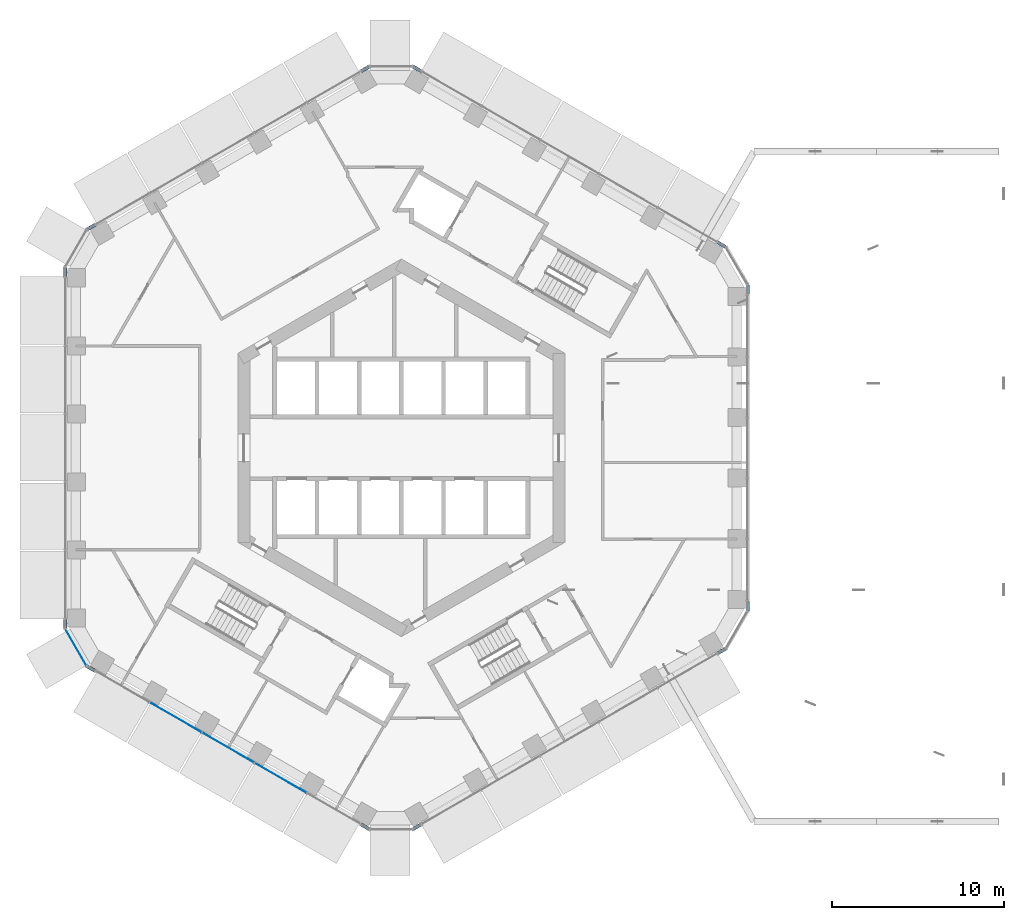
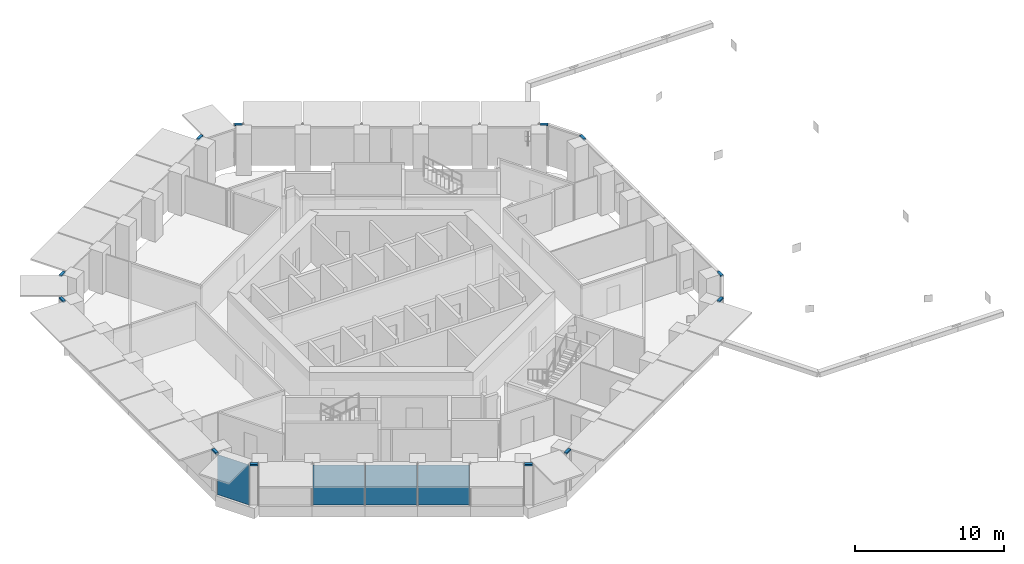
# One storey, part 8 of 21: 12 members, 4 plates, 7 elements without a shape of their own.
"""IFC4 building model written with IfcOpenShell, lengths in metres."""

from ifc_helpers import new_model, si_unit, direction, frame, origin, origin_2d, place, context, subcontext, project, spatial, rectangle, extrude, material, layer, layer_set, material_profile, profile_set, type_object, element, aggregate, save


model = new_model("IFC4")

# Units and contexts
model_context = context("Model", 3, precision=1e-05, world=origin(), true_north=direction((0.0, 1.0)))
body_context = subcontext(model_context, "Body", "Model", "MODEL_VIEW")
ifc_project = project(units=[si_unit("LENGTHUNIT", "METRE"), si_unit("AREAUNIT", "SQUARE_METRE"), si_unit("VOLUMEUNIT", "CUBIC_METRE"), si_unit("PLANEANGLEUNIT", "RADIAN"), si_unit("MASSUNIT", "GRAM", prefix="KILO")], contexts=[model_context])

# Site, building, storey
site_placement = place(None, origin())
site = spatial("IfcSite", under=ifc_project, at=site_placement, CompositionType="ELEMENT")
building_placement = place(site_placement, origin())
building = spatial("IfcBuilding", under=site, at=building_placement, Name="Ayvan Gate Tower", CompositionType="ELEMENT")
storey_placement = place(building_placement, frame((0.0, 0.0, 117.10009765625)))
storey = spatial("IfcBuildingStorey", under=building, at=storey_placement, Name="L31", CompositionType="ELEMENT", Elevation=117.10009765625)

# Curtain wall, members
ifc_material_1 = material(Name="Bronze anodised aluminium", Category="aluminium")
ifc_layer_1 = layer(ifc_material_1, 0.199951171875)
ifc_layer_set_1 = layer_set([ifc_layer_1], Name="Bronze anodised aluminium")
curtain_wall_type_1 = type_object("IfcCurtainWallType", Name="Stick curtain wall CW-6", PredefinedType="NOTDEFINED", material=ifc_layer_set_1)
curtain_wall_1_placement = place(storey_placement, origin())
curtain_wall_1 = element("IfcCurtainWall", 1, at=curtain_wall_1_placement, inside=storey, type_object=curtain_wall_type_1, Name="Stick curtain wall CW-6 L31", PredefinedType="NOTDEFINED")
ifc_material_profile = material_profile(ifc_material_1, rectangle(XDim=0.199951171875, YDim=0.1201171875, at=origin_2d()), Name="Stick curtain wall CW-6 transom 200 x 120")
ifc_profile_set = profile_set([ifc_material_profile], Name="Bronze anodised aluminium")
member_type = type_object("IfcMemberType", Name="Stick curtain wall CW-6 transom 200 x 120", PredefinedType="USERDEFINED", material=ifc_profile_set)
member_1_placement = place(storey_placement, frame((-17.77587890625, 12.958740234375, 3.33984375), z_axis=(-0.866104278045, -0.499863360881, 0.0), x_axis=(0.499863360881, -0.866104278045, 0.0)))
member_1 = element("IfcMember", 2, at=member_1_placement, type_object=member_type, Name="CW-6 transom 1", ObjectType="TRANSOM", PredefinedType="USERDEFINED", context=body_context, shape_type="SweptSolid", body=[
    extrude(rectangle(XDim=0.199951171875, YDim=0.1201171875, at=origin_2d()), origin(), (0.0, 0.0, 1.0), 0.550048828125),
])
member_2_placement = place(storey_placement, frame((-19.51708984375, 10.492919921875, 3.33984375), z_axis=(0.0, -1.0, 0.0), x_axis=(1.0, 0.0, 0.0)))
member_2 = element("IfcMember", 3, at=member_2_placement, type_object=member_type, Name="CW-6 transom 2", ObjectType="TRANSOM", PredefinedType="USERDEFINED", context=body_context, shape_type="SweptSolid", body=[
    extrude(rectangle(XDim=0.199951171875, YDim=0.1201171875, at=origin_2d()), origin(), (0.0, 0.0, 1.0), 0.550048828125),
])
aggregate(curtain_wall_1, [member_1, member_2])

curtain_wall_2_placement = place(storey_placement, origin())
curtain_wall_2 = element("IfcCurtainWall", 4, at=curtain_wall_2_placement, inside=storey, type_object=curtain_wall_type_1, Name="Stick curtain wall CW-6 L31", PredefinedType="NOTDEFINED")
member_3_placement = place(storey_placement, frame((-19.51708984375, -9.94287109375, 3.33984375), z_axis=(0.0, -1.0, 0.0), x_axis=(1.0, 0.0, 0.0)))
member_3 = element("IfcMember", 5, at=member_3_placement, type_object=member_type, Name="CW-6 transom 1", ObjectType="TRANSOM", PredefinedType="USERDEFINED", context=body_context, shape_type="SweptSolid", body=[
    extrude(rectangle(XDim=0.199951171875, YDim=0.1201171875, at=origin_2d()), origin(), (0.0, 0.0, 1.0), 0.550048828125),
])
member_4_placement = place(storey_placement, frame((-18.252197265625, -12.683837890625, 3.33984375), z_axis=(0.866104278045, -0.499863360881, 0.0), x_axis=(0.499863360881, 0.866104278045, 0.0)))
member_4 = element("IfcMember", 6, at=member_4_placement, type_object=member_type, Name="CW-6 transom 2", ObjectType="TRANSOM", PredefinedType="USERDEFINED", context=body_context, shape_type="SweptSolid", body=[
    extrude(rectangle(XDim=0.199951171875, YDim=0.1201171875, at=origin_2d()), origin(), (0.0, 0.0, 1.0), 0.550048828125),
])

curtain_wall_3_placement = place(storey_placement, origin())
curtain_wall_3 = element("IfcCurtainWall", 7, at=curtain_wall_3_placement, inside=storey, type_object=curtain_wall_type_1, Name="Stick curtain wall CW-6 L31", PredefinedType="NOTDEFINED")
member_5_placement = place(storey_placement, frame((-2.334716796875, -21.873779296875, 3.33984375), z_axis=(0.866104278045, -0.499863360881, 0.0), x_axis=(0.499863360881, 0.866104278045, 0.0)))
member_5 = element("IfcMember", 8, at=member_5_placement, type_object=member_type, Name="CW-6 transom 1", ObjectType="TRANSOM", PredefinedType="USERDEFINED", context=body_context, shape_type="SweptSolid", body=[
    extrude(rectangle(XDim=0.199951171875, YDim=0.1201171875, at=origin_2d()), origin(), (0.0, 0.0, 1.0), 0.550048828125),
])
member_6_placement = place(storey_placement, frame((0.67138671875, -22.148681640625, 3.33984375), z_axis=(0.866104278045, 0.499863360881, 0.0), x_axis=(-0.499863360881, 0.866104278045, 0.0)))
member_6 = element("IfcMember", 9, at=member_6_placement, type_object=member_type, Name="CW-6 transom 2", ObjectType="TRANSOM", PredefinedType="USERDEFINED", context=body_context, shape_type="SweptSolid", body=[
    extrude(rectangle(XDim=0.199951171875, YDim=0.1201171875, at=origin_2d()), origin(), (0.0, 0.0, 1.0), 0.550048828125),
])
aggregate(curtain_wall_3, [member_5, member_6])

curtain_wall_4_placement = place(storey_placement, origin())
curtain_wall_4 = element("IfcCurtainWall", 10, at=curtain_wall_4_placement, inside=storey, type_object=curtain_wall_type_1, Name="Stick curtain wall CW-6 L31", PredefinedType="NOTDEFINED")
member_7_placement = place(storey_placement, frame((18.369384765625, -11.930908203125, 3.33984375), z_axis=(0.865912065108, 0.500196256984, 0.0), x_axis=(-0.500196256984, 0.865912065108, 0.0)))
member_7 = element("IfcMember", 11, at=member_7_placement, type_object=member_type, Name="CW-6 transom 1", ObjectType="TRANSOM", PredefinedType="USERDEFINED", context=body_context, shape_type="SweptSolid", body=[
    extrude(rectangle(XDim=0.199951171875, YDim=0.1201171875, at=origin_2d()), origin(), (0.0, 0.0, 1.0), 0.550048828125),
])
member_8_placement = place(storey_placement, frame((20.110595703125, -9.46484375, 3.33984375), z_axis=(0.0, 1.0, 0.0), x_axis=(-1.0, 0.0, 0.0)))
member_8 = element("IfcMember", 12, at=member_8_placement, type_object=member_type, Name="CW-6 transom 3", ObjectType="TRANSOM", PredefinedType="USERDEFINED", context=body_context, shape_type="SweptSolid", body=[
    extrude(rectangle(XDim=0.199951171875, YDim=0.1201171875, at=origin_2d()), origin(), (0.0, 0.0, 1.0), 0.5498046875),
])
aggregate(curtain_wall_4, [member_7, member_8])

curtain_wall_5_placement = place(storey_placement, origin())
curtain_wall_5 = element("IfcCurtainWall", 13, at=curtain_wall_5_placement, inside=storey, type_object=curtain_wall_type_1, Name="Stick curtain wall CW-6 L31", PredefinedType="NOTDEFINED")
member_9_placement = place(storey_placement, frame((20.110595703125, 8.9150390625, 3.33984375), z_axis=(0.0, 1.0, 0.0), x_axis=(-1.0, 0.0, 0.0)))
member_9 = element("IfcMember", 14, at=member_9_placement, type_object=member_type, Name="CW-6 transom 1", ObjectType="TRANSOM", PredefinedType="USERDEFINED", context=body_context, shape_type="SweptSolid", body=[
    extrude(rectangle(XDim=0.199951171875, YDim=0.1201171875, at=origin_2d()), origin(), (0.0, 0.0, 1.0), 0.5498046875),
])
member_10_placement = place(storey_placement, frame((18.845703125, 11.65576171875, 3.33984375), z_axis=(-0.865912065108, 0.500196256984, 0.0), x_axis=(-0.500196256984, -0.865912065108, 0.0)))
member_10 = element("IfcMember", 15, at=member_10_placement, type_object=member_type, Name="CW-6 transom 3", ObjectType="TRANSOM", PredefinedType="USERDEFINED", context=body_context, shape_type="SweptSolid", body=[
    extrude(rectangle(XDim=0.199951171875, YDim=0.1201171875, at=origin_2d()), origin(), (0.0, 0.0, 1.0), 0.550048828125),
])
aggregate(curtain_wall_5, [member_9, member_10])

curtain_wall_6_placement = place(storey_placement, origin())
curtain_wall_6 = element("IfcCurtainWall", 16, at=curtain_wall_6_placement, inside=storey, type_object=curtain_wall_type_1, Name="Stick curtain wall CW-6 L31", PredefinedType="NOTDEFINED")
member_11_placement = place(storey_placement, frame((1.147705078125, 21.873779296875, 3.33984375), z_axis=(-0.866104278045, 0.499863360881, 0.0), x_axis=(-0.499863360881, -0.866104278045, 0.0)))
member_11 = element("IfcMember", 17, at=member_11_placement, type_object=member_type, Name="CW-6 transom 1", ObjectType="TRANSOM", PredefinedType="USERDEFINED", context=body_context, shape_type="SweptSolid", body=[
    extrude(rectangle(XDim=0.199951171875, YDim=0.1201171875, at=origin_2d()), origin(), (0.0, 0.0, 1.0), 0.550048828125),
])
member_12_placement = place(storey_placement, frame((-1.8583984375, 22.148681640625, 3.33984375), z_axis=(-0.866104278045, -0.499863360881, 0.0), x_axis=(0.499863360881, -0.866104278045, 0.0)))
member_12 = element("IfcMember", 18, at=member_12_placement, type_object=member_type, Name="CW-6 transom 2", ObjectType="TRANSOM", PredefinedType="USERDEFINED", context=body_context, shape_type="SweptSolid", body=[
    extrude(rectangle(XDim=0.199951171875, YDim=0.1201171875, at=origin_2d()), origin(), (0.0, 0.0, 1.0), 0.550048828125),
])
aggregate(curtain_wall_6, [member_11, member_12])

# Curtain wall, plates
ifc_layer_2 = layer(ifc_material_1, 0.199951171875)
ifc_layer_set_2 = layer_set([ifc_layer_2], Name="Bronze anodised aluminium")
curtain_wall_type_2 = type_object("IfcCurtainWallType", Name="Stick curtain wall CW-1", PredefinedType="NOTDEFINED", material=ifc_layer_set_2)
curtain_wall_7_placement = place(storey_placement, origin())
curtain_wall_7 = element("IfcCurtainWall", 19, at=curtain_wall_7_placement, inside=storey, type_object=curtain_wall_type_2, Name="Stick curtain wall CW-1 L31", PredefinedType="NOTDEFINED")
ifc_material_2 = material(Name="Clear low-iron laminated glass", Category="glass")
ifc_layer_3 = layer(ifc_material_2, 0.028076171875)
ifc_layer_set_3 = layer_set([ifc_layer_3], Name="Clear low-iron laminated glass")
plate_type_1 = type_object("IfcPlateType", Name="Stick curtain wall CW-1 glass panel", PredefinedType="CURTAIN_PANEL", material=ifc_layer_set_3)
plate_1_placement = place(storey_placement, frame((-13.103271484375, -15.656494140625, 0.0), z_axis=(0.0, 0.0, 1.0), x_axis=(0.866025403784, -0.5, 0.0)))
plate_1 = element("IfcPlate", 20, at=plate_1_placement, type_object=plate_type_1, Name="CW-1 glass panel 2", PredefinedType="CURTAIN_PANEL", context=body_context, shape_type="SweptSolid", body=[
    extrude(rectangle(XDim=3.458984375, YDim=0.028076171875, at=origin_2d()), origin(), (0.0, 0.0, 1.0), 3.280029296875),
])
plate_2_placement = place(storey_placement, frame((-10.05517578125, -17.416259765625, 0.0), z_axis=(0.0, 0.0, 1.0), x_axis=(0.866025403784, -0.5, 0.0)))
plate_2 = element("IfcPlate", 21, at=plate_2_placement, type_object=plate_type_1, Name="CW-1 glass panel 3", PredefinedType="CURTAIN_PANEL", context=body_context, shape_type="SweptSolid", body=[
    extrude(rectangle(XDim=3.4599609375, YDim=0.028076171875, at=origin_2d()), origin(), (0.0, 0.0, 1.0), 3.280029296875),
])
plate_3_placement = place(storey_placement, frame((-7.00732421875, -19.176025390625, 0.0), z_axis=(0.0, 0.0, 1.0), x_axis=(0.866025403784, -0.5, 0.0)))
plate_3 = element("IfcPlate", 22, at=plate_3_placement, type_object=plate_type_1, Name="CW-1 glass panel 4", PredefinedType="CURTAIN_PANEL", context=body_context, shape_type="SweptSolid", body=[
    extrude(rectangle(XDim=3.458984375, YDim=0.028076171875, at=origin_2d()), origin(), (0.0, 0.0, 1.0), 3.280029296875),
])
aggregate(curtain_wall_7, [plate_1, plate_2, plate_3])

# Plate
ifc_layer_4 = layer(ifc_material_2, 0.028076171875)
ifc_layer_set_4 = layer_set([ifc_layer_4], Name="Clear low-iron laminated glass")
plate_type_2 = type_object("IfcPlateType", Name="Stick curtain wall CW-6 glass panel", PredefinedType="CURTAIN_PANEL", material=ifc_layer_set_4)
plate_4_placement = place(storey_placement, frame((-18.8955078125, -11.594482421875, 0.0), z_axis=(0.0, 0.0, 1.0), x_axis=(0.5, -0.866025403784, 0.0)))
plate_4 = element("IfcPlate", 23, at=plate_4_placement, type_object=plate_type_2, Name="CW-6 glass panel 2", PredefinedType="CURTAIN_PANEL", context=body_context, shape_type="SweptSolid", body=[
    extrude(rectangle(XDim=2.4365234375, YDim=0.028076171875, at=origin_2d()), origin(), (0.0, 0.0, 1.0), 3.280029296875),
])

aggregate(curtain_wall_2, [member_3, member_4, plate_4])

save(model, "model.ifc")
